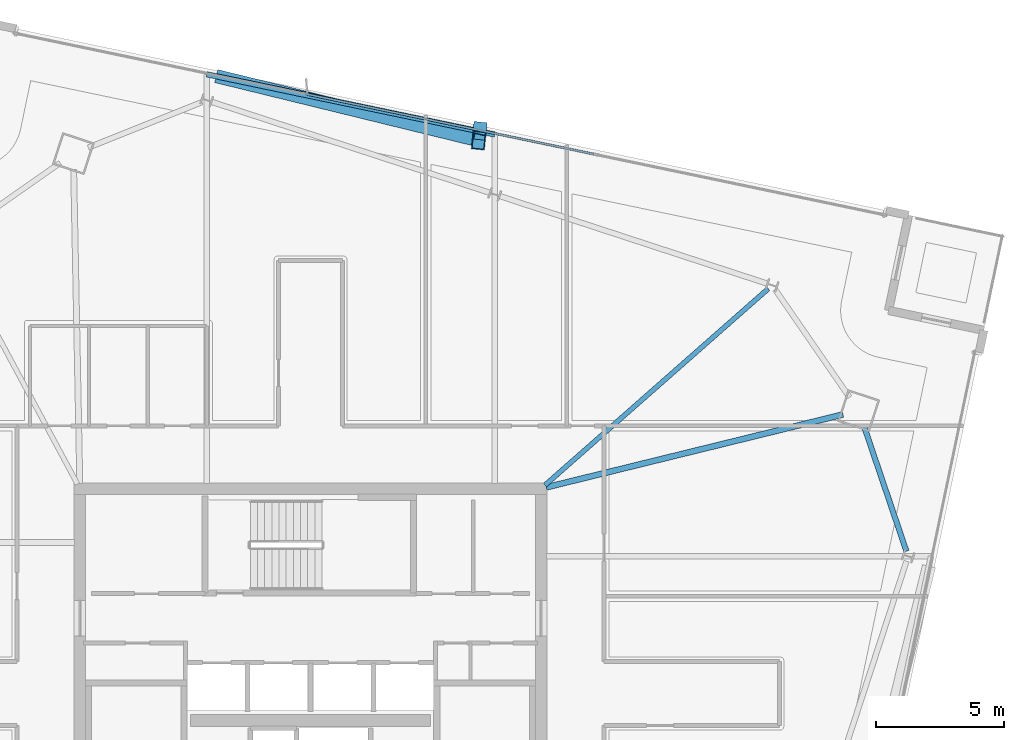
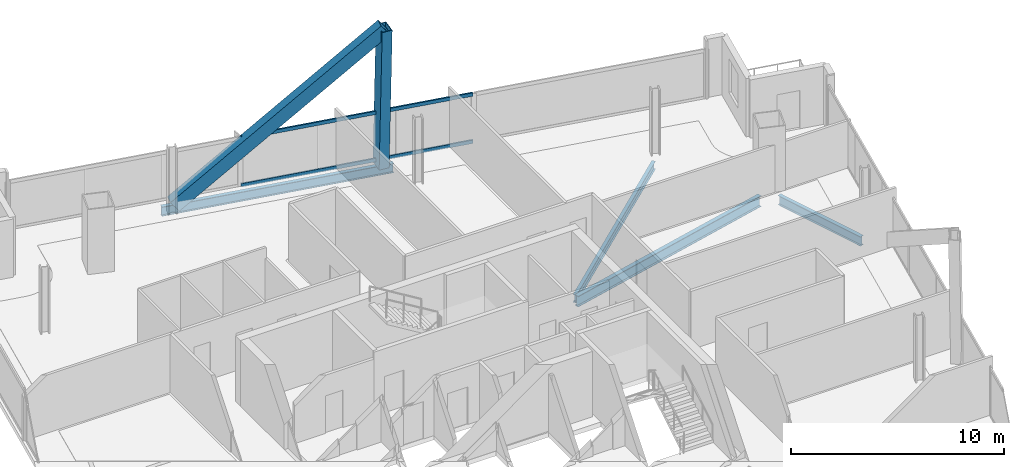
# One storey, part 14 of 24: 4 beams, 4 members, 1 element without a shape of its own.
"""IFC4 building model written with IfcOpenShell, lengths in metres."""

from ifc_helpers import new_model, si_unit, direction, frame, origin, origin_2d, place, context, subcontext, project, spatial, hollow_rectangle, i_section, extrude, material, material_profile, profile_set, type_object, element, aggregate, save


model = new_model("IFC4")

# Units and contexts
model_context = context("Model", 3, precision=1e-05, world=origin(), true_north=direction((0.0, 1.0)))
body_context = subcontext(model_context, "Body", "Model", "MODEL_VIEW")
ifc_project = project(units=[si_unit("LENGTHUNIT", "METRE"), si_unit("AREAUNIT", "SQUARE_METRE"), si_unit("VOLUMEUNIT", "CUBIC_METRE"), si_unit("PLANEANGLEUNIT", "RADIAN"), si_unit("MASSUNIT", "GRAM", prefix="KILO")], contexts=[model_context])

# Site, building, storey
site_placement = place(None, origin())
site = spatial("IfcSite", under=ifc_project, at=site_placement, CompositionType="ELEMENT")
building_placement = place(site_placement, origin())
building = spatial("IfcBuilding", under=site, at=building_placement, Name="Haldenkirk Collegiate Tower", CompositionType="ELEMENT")
storey_placement = place(building_placement, frame((0.0, 0.0, 289.949951171875)))
storey = spatial("IfcBuildingStorey", under=building, at=storey_placement, Name="L73", CompositionType="ELEMENT", Elevation=289.949951171875)

# Beams
ifc_material_1 = material(Name="Steel ASTM A992 Grade 50", Category="steel")
ifc_material_profile_1 = material_profile(ifc_material_1, i_section(OverallWidth=0.22998046875, OverallDepth=0.616943359375, WebThickness=0.01318359375, FlangeThickness=0.022216796875, at=origin_2d()), Name="W24X94")
ifc_profile_set_1 = profile_set([ifc_material_profile_1], Name="Steel ASTM A992 Grade 50")
beam_type_1 = type_object("IfcBeamType", Name="BM-GIRDER-W24X94", PredefinedType="BEAM", material=ifc_profile_set_1)
beam_1_placement = place(storey_placement, frame((56.783935546875, 36.893310546875, -0.578369140625), z_axis=(-0.971153636509, -0.238454637815, 0.0), x_axis=(0.238454637815, -0.971153636509, 0.0)))
element("IfcBeam", 1, at=beam_1_placement, inside=storey, type_object=beam_type_1, Name="L73 primary floor girder 02", PredefinedType="BEAM", context=body_context, shape_type="SweptSolid", body=[
    extrude(i_section(OverallWidth=0.22998046875, OverallDepth=0.616943359375, WebThickness=0.01318359375, FlangeThickness=0.022216796875, at=origin_2d()), origin(), (0.0, 0.0, 1.0), 11.9287109375),
])
ifc_material_profile_2 = material_profile(ifc_material_1, i_section(OverallWidth=0.18994140625, OverallDepth=0.45703125, WebThickness=0.009033203125, FlangeThickness=0.014404296875, at=origin_2d()), Name="W18X50")
ifc_profile_set_2 = profile_set([ifc_material_profile_2], Name="Steel ASTM A992 Grade 50")
beam_type_2 = type_object("IfcBeamType", Name="BM-JOIST-W18X50", PredefinedType="JOIST", material=ifc_profile_set_2)
beam_2_placement = place(storey_placement, frame((53.865966796875, 41.802734375, -0.49853515625), z_axis=(-0.750690564018, -0.660653976825, 0.0), x_axis=(0.660653976825, -0.750690564018, 0.0)))
element("IfcBeam", 2, at=beam_2_placement, inside=storey, type_object=beam_type_2, Name="L73 composite floor joist 08", PredefinedType="JOIST", context=body_context, shape_type="SweptSolid", body=[
    extrude(i_section(OverallWidth=0.18994140625, OverallDepth=0.45703125, WebThickness=0.009033203125, FlangeThickness=0.014404296875, at=origin_2d()), origin(), (0.0, 0.0, 1.0), 11.60546875),
])
ifc_material_profile_3 = material_profile(ifc_material_1, i_section(OverallWidth=0.2099609375, OverallDepth=0.537109375, WebThickness=0.010986328125, FlangeThickness=0.017333984375, at=origin_2d()), Name="W21X68")
ifc_profile_set_3 = profile_set([ifc_material_profile_3], Name="Steel ASTM A992 Grade 50")
beam_type_3 = type_object("IfcBeamType", Name="BM-SPANDREL-W21X68", PredefinedType="SPANDREL", material=ifc_profile_set_3)
beam_3_placement = place(storey_placement, frame((59.258544921875, 31.5517578125, -0.538330078125), z_axis=(-0.321225245884, 0.947002820168, 0.0), x_axis=(-0.947002820168, -0.321225245884, 0.0)))
element("IfcBeam", 3, at=beam_3_placement, inside=storey, type_object=beam_type_3, Name="L73 perimeter spandrel beam 04", PredefinedType="SPANDREL", context=body_context, shape_type="SweptSolid", body=[
    extrude(i_section(OverallWidth=0.2099609375, OverallDepth=0.537109375, WebThickness=0.010986328125, FlangeThickness=0.017333984375, at=origin_2d()), origin(), (0.0, 0.0, 1.0), 5.1689453125),
])
beam_4_placement = place(storey_placement, frame((43.18994140625, 47.82080078125, -0.538330078125), z_axis=(-0.978869372064, 0.204486558079, 0.0), x_axis=(-0.204486558079, -0.978869372064, 0.0)))
element("IfcBeam", 4, at=beam_4_placement, inside=storey, type_object=beam_type_3, Name="L73 outer facade edge beam 2", PredefinedType="SPANDREL", context=body_context, shape_type="SweptSolid", body=[
    extrude(i_section(OverallWidth=0.2099609375, OverallDepth=0.537109375, WebThickness=0.010986328125, FlangeThickness=0.017333984375, at=origin_2d()), origin(), (0.0, 0.0, 1.0), 11.483154296875),
])

# Curtain wall, members
ifc_material_2 = material(Name="Anodised architectural bronze aluminium", Category="aluminium")
curtain_wall_type = type_object("IfcCurtainWallType", Name="CW-SYS1B-CONVEX-HI", PredefinedType="USERDEFINED", material=ifc_material_2)
curtain_wall_placement = place(storey_placement, origin())
curtain_wall = element("IfcCurtainWall", 5, at=curtain_wall_placement, inside=storey, type_object=curtain_wall_type, Name="L73 Upper tower high-wind convex bronze unitised curtain wall", ObjectType="UNITISED CURTAIN WALL", PredefinedType="USERDEFINED")
ifc_material_profile_4 = material_profile(ifc_material_2, hollow_rectangle(XDim=0.0849609375, YDim=0.199951171875, WallThickness=0.0048828125, at=origin_2d()), Name="CW-TRN-1B")
ifc_profile_set_4 = profile_set([ifc_material_profile_4], Name="Anodised architectural bronze aluminium")
member_type_1 = type_object("IfcMemberType", Name="CW-TRN-1B", PredefinedType="USERDEFINED", material=ifc_profile_set_4)
member_1_placement = place(storey_placement, frame((35.832275390625, 49.398681640625, 0.04248046875), z_axis=(0.978868745391, -0.204489557915, 0.0), x_axis=(0.204489557915, 0.978868745391, 0.0)))
member_1 = element("IfcMember", 6, at=member_1_placement, type_object=member_type_1, Name="CW-1B transom 2.1", ObjectType="TRANSOM", PredefinedType="USERDEFINED", context=body_context, shape_type="SweptSolid", body=[
    extrude(hollow_rectangle(XDim=0.0849609375, YDim=0.199951171875, WallThickness=0.0048828125, at=origin_2d()), origin(), (0.0, 0.0, 1.0), 11.473388671875),
])
member_2_placement = place(storey_placement, frame((35.832275390625, 49.398681640625, 2.755615234375), z_axis=(0.978868745391, -0.204489557915, 0.0), x_axis=(0.204489557915, 0.978868745391, 0.0)))
member_2 = element("IfcMember", 7, at=member_2_placement, type_object=member_type_1, Name="CW-1B transom 2.2", ObjectType="TRANSOM", PredefinedType="USERDEFINED", context=body_context, shape_type="SweptSolid", body=[
    extrude(hollow_rectangle(XDim=0.0849609375, YDim=0.199951171875, WallThickness=0.0048828125, at=origin_2d()), origin(), (0.0, 0.0, 1.0), 11.473388671875),
])
aggregate(curtain_wall, [member_1, member_2])

# Members
ifc_material_3 = material(Name="Steel ASTM A572 Grade 50", Category="steel")
ifc_material_profile_5 = material_profile(ifc_material_3, hollow_rectangle(XDim=0.52001953125, YDim=0.719970703125, WallThickness=0.035888671875, at=origin_2d()), Name="BOX720X520X36")
ifc_profile_set_5 = profile_set([ifc_material_profile_5], Name="Steel ASTM A572 Grade 50")
member_type_2 = type_object("IfcMemberType", Name="MBR-MEGABRACE-BOX720X520X36", PredefinedType="BRACE", material=ifc_profile_set_5)
member_3_placement = place(storey_placement, frame((42.602783203125, 47.943603515625, -0.280029296875), z_axis=(-0.004505661002, -0.043224307878, 0.999055232821), x_axis=(0.99461098704, -0.103677309281, 0.0)))
element("IfcMember", 8, at=member_3_placement, inside=storey, type_object=member_type_2, Name="Perimeter Mega Brace Z5 L73-L74 EL", PredefinedType="BRACE", context=body_context, shape_type="SweptSolid", body=[
    extrude(hollow_rectangle(XDim=0.52001953125, YDim=0.719970703125, WallThickness=0.035888671875, at=origin_2d()), origin(), (0.0, 0.0, 1.0), 8.127685546875),
])
member_4_placement = place(storey_placement, frame((32.536865234375, 50.04638671875, -0.280029296875), z_axis=(0.763516452292, -0.186827346116, 0.61817325227), x_axis=(0.237681161676, 0.971343227384, 0.0)))
element("IfcMember", 9, at=member_4_placement, inside=storey, type_object=member_type_2, Name="Perimeter Mega Brace Z5 L73-L74 ER", PredefinedType="BRACE", context=body_context, shape_type="SweptSolid", body=[
    extrude(hollow_rectangle(XDim=0.52001953125, YDim=0.719970703125, WallThickness=0.035888671875, at=origin_2d()), origin(), (0.0, 0.0, 1.0), 13.1357421875),
])

save(model, "model.ifc")
